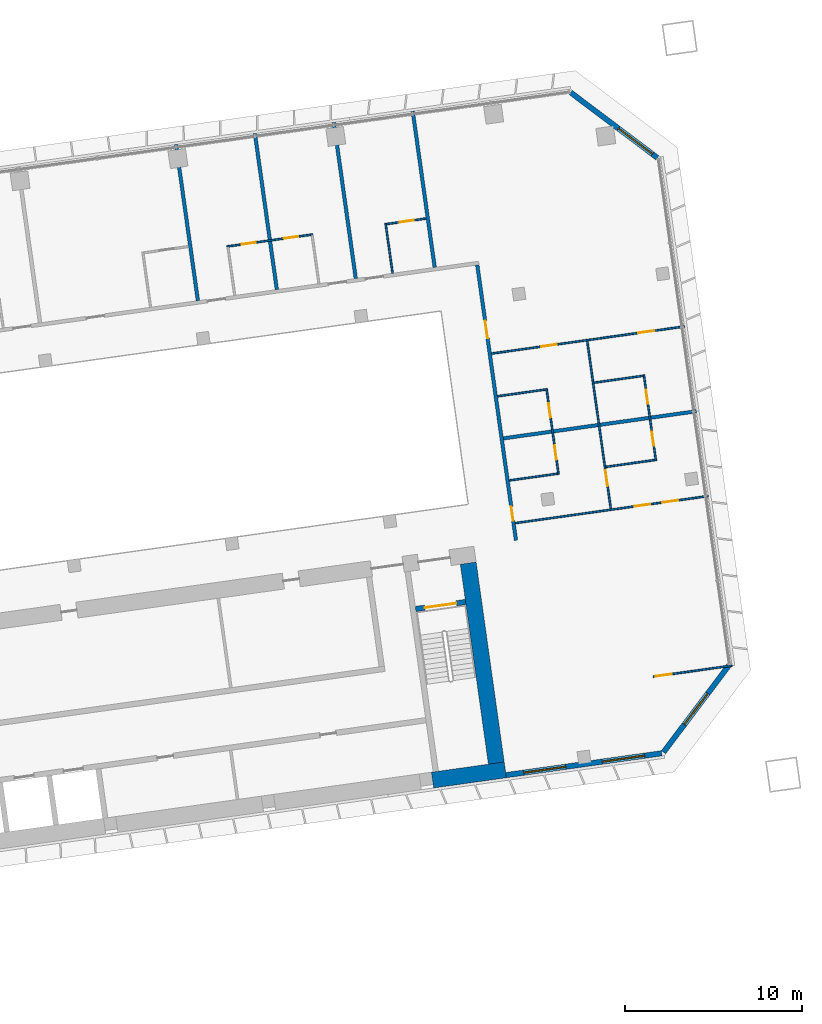
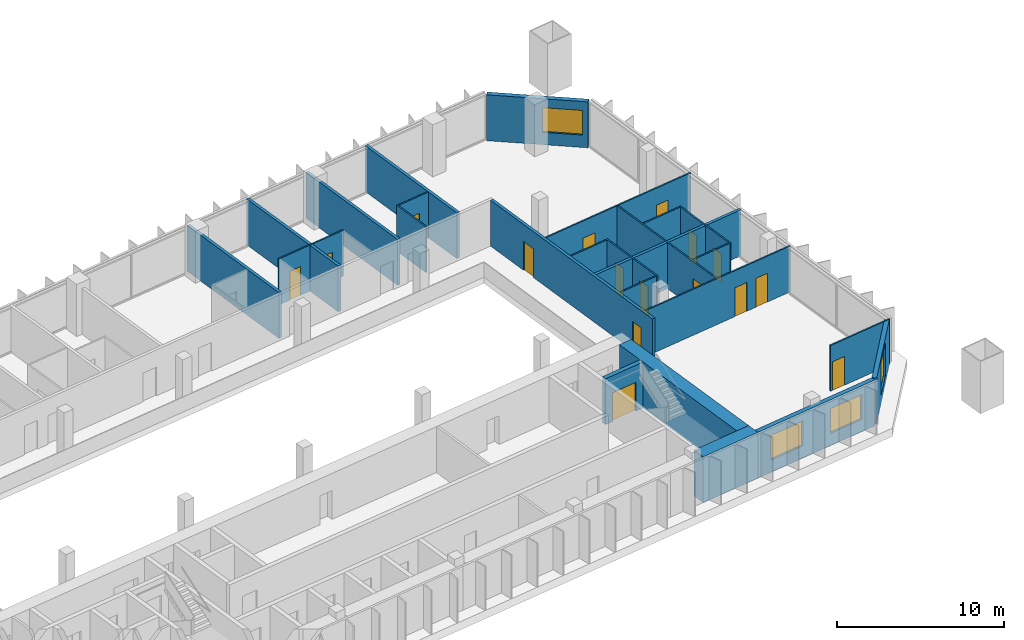
# One storey, part 21 of 24: 25 walls, 16 doors, 4 windows, 20 openings.
"""IFC4 building model written with IfcOpenShell, lengths in metres."""

from ifc_helpers import new_model, si_unit, direction, frame, frame_2d, origin, place, context, subcontext, project, spatial, rectangle, extrude, material, layer, layer_set, type_object, element, fill, save


model = new_model("IFC4")

# Units and contexts
model_context = context("Model", 3, precision=1e-05, world=origin(), true_north=direction((0.0, 1.0)))
body_context = subcontext(model_context, "Body", "Model", "MODEL_VIEW")
ifc_project = project(units=[si_unit("LENGTHUNIT", "METRE"), si_unit("AREAUNIT", "SQUARE_METRE"), si_unit("VOLUMEUNIT", "CUBIC_METRE"), si_unit("PLANEANGLEUNIT", "RADIAN"), si_unit("MASSUNIT", "GRAM", prefix="KILO")], contexts=[model_context])

# Site, building, storey
site_placement = place(None, origin())
site = spatial("IfcSite", under=ifc_project, at=site_placement, CompositionType="ELEMENT")
building_placement = place(site_placement, origin())
building = spatial("IfcBuilding", under=site, at=building_placement, Name="Mirante Cascada Hotel Towers", CompositionType="ELEMENT")
storey_placement = place(building_placement, frame((0.0, 0.0, 43.3)))
storey = spatial("IfcBuildingStorey", under=building, at=storey_placement, Name="L07", CompositionType="ELEMENT", Elevation=43.3)

# Walls
ifc_material_1 = material(Name="Fire-rated plasterboard on metal studs")
ifc_layer_1 = layer(ifc_material_1, 0.2)
ifc_layer_set_1 = layer_set([ifc_layer_1], Name="Compartment wall 200 EI 120")
wall_type_1 = type_object("IfcWallType", Name="Compartment wall 200 EI 120", PredefinedType="PARTITIONING", material=ifc_layer_set_1)
wall_1_placement = place(storey_placement, frame((101.2993, 8.0205, 0.0), z_axis=(0.0, 0.0, 1.0), x_axis=(-0.990268, -0.1391733, 0.0)))
element("IfcWall", 1, at=wall_1_placement, inside=storey, type_object=wall_type_1, Name="Wall 2-L07-09", PredefinedType="PARTITIONING", context=body_context, shape_type="SweptSolid", body=[
    extrude(rectangle(XDim=11.0, YDim=0.2, at=frame_2d((5.5, 0.0))), origin(), (0.0, 0.0, 1.0), 3.35),
])
for number, where, z_axis, x_axis, name in (
    (2, (71.9178, 23.0779, 0.0), (0.0, 0.0, 1.0), (0.1391684, -0.9902687, 0.0), "Wall 2-L07-47"),
    (3, (76.374, 23.7042, 0.0), (0.0, 0.0, 1.0), (0.1391684, -0.9902687, 0.0), "Wall 2-L07-49"),
):
    element("IfcWall", number, at=place(storey_placement, frame(where, z_axis=z_axis, x_axis=x_axis)), inside=storey, type_object=wall_type_1, Name=name, PredefinedType="PARTITIONING", context=body_context, shape_type="SweptSolid", body=[
        extrude(rectangle(XDim=8.9, YDim=0.2, at=frame_2d((4.45, 0.0))), origin(), (0.0, 0.0, 1.0), 3.35),
    ])
wall_2_placement = place(storey_placement, frame((80.8302, 24.3304, 0.0), z_axis=(0.0, 0.0, 1.0), x_axis=(0.13917, -0.9902685, 0.0)))
element("IfcWall", 4, at=wall_2_placement, inside=storey, type_object=wall_type_1, Name="Wall 2-L07-51", PredefinedType="PARTITIONING", context=body_context, shape_type="SweptSolid", body=[
    extrude(rectangle(XDim=8.8999, YDim=0.2, at=frame_2d((4.45, 0.0))), origin(), (0.0, 0.0, 1.0), 3.35),
])
wall_3_placement = place(storey_placement, frame((85.2864, 24.9567, 0.0), z_axis=(0.0, 0.0, 1.0), x_axis=(0.1391684, -0.9902687, 0.0)))
element("IfcWall", 5, at=wall_3_placement, inside=storey, type_object=wall_type_1, Name="Wall 2-L07-53", PredefinedType="PARTITIONING", context=body_context, shape_type="SweptSolid", body=[
    extrude(rectangle(XDim=8.9, YDim=0.2, at=frame_2d((4.45, 0.0))), origin(), (0.0, 0.0, 1.0), 3.35),
])

# Wall, openings, doors
wall_4_placement = place(storey_placement, frame((91.1145, 0.7321, 0.0), z_axis=(0.0, 0.0, 1.0), x_axis=(-0.1391721, 0.9902682, 0.0)))
wall_4 = element("IfcWall", 6, at=wall_4_placement, inside=storey, type_object=wall_type_1, Name="Wall 2-L07-54", PredefinedType="PARTITIONING", context=body_context, shape_type="SweptSolid", body=[
    extrude(rectangle(XDim=15.7, YDim=0.2, at=frame_2d((7.85, 0.0))), origin(), (0.0, 0.0, 1.0), 3.35),
])
opening_1_placement = place(wall_4_placement, frame((1.1167, 0.0, 0.0)))
opening_1 = element("IfcOpeningElement", 7, at=opening_1_placement, cuts=wall_4, Name="Opening D2-L07-35", PredefinedType="OPENING", context=body_context, shape_type="SweptSolid", body=[
    extrude(rectangle(XDim=0.8, YDim=2.1, at=frame_2d((0.4, 1.05))), frame((0.0, 0.1, 0.0), z_axis=(0.0, -1.0, 0.0), x_axis=(1.0, 0.0, 0.0)), (0.0, 0.0, 1.0), 0.2),
])
opening_2_placement = place(wall_4_placement, frame((11.5166, 0.0, 0.0)))
opening_2 = element("IfcOpeningElement", 8, at=opening_2_placement, cuts=wall_4, Name="Opening D2-L07-36", PredefinedType="OPENING", context=body_context, shape_type="SweptSolid", body=[
    extrude(rectangle(XDim=1.0, YDim=2.1, at=frame_2d((0.5, 1.05))), frame((0.0, 0.1, 0.0), z_axis=(0.0, -1.0, 0.0), x_axis=(1.0, 0.0, 0.0)), (0.0, 0.0, 1.0), 0.2),
])
ifc_material_2 = material(Name="Fire-rated timber door leaf", Category="wood")
door_type_1 = type_object("IfcDoorType", Name="Bathroom door DG4 800x2100 EI 60", OperationType="SINGLE_SWING_LEFT", PredefinedType="DOOR", material=ifc_material_2)
door_1_placement = place(opening_1_placement, origin())
door_1 = element("IfcDoor", 9, at=door_1_placement, inside=storey, type_object=door_type_1, Name="Door D2-L07-35", OperationType="SINGLE_SWING_LEFT", OverallHeight=2.1, OverallWidth=0.8, PredefinedType="DOOR", context=body_context, shape_type="SweptSolid", body=[
    extrude(rectangle(XDim=0.8, YDim=2.1, at=frame_2d((0.4, 1.05))), frame((0.0, 0.025, 0.0), z_axis=(0.0, -1.0, 0.0), x_axis=(1.0, 0.0, 0.0)), (0.0, 0.0, 1.0), 0.05),
])
fill(opening_1, door_1)
ifc_material_3 = material(Name="Fire-rated timber door leaf", Category="wood")
door_type_2 = type_object("IfcDoorType", Name="Entrance door DG1 1000x2100 EI 60", OperationType="SINGLE_SWING_LEFT", PredefinedType="DOOR", material=ifc_material_3)
door_2_placement = place(opening_2_placement, frame((1.0, 0.0, 0.0), z_axis=(0.0, 0.0, 1.0), x_axis=(-1.0, 0.0, 0.0)))
door_2 = element("IfcDoor", 10, at=door_2_placement, inside=storey, type_object=door_type_2, Name="Door D2-L07-36", OperationType="SINGLE_SWING_RIGHT", OverallHeight=2.1, OverallWidth=1.0, PredefinedType="DOOR", context=body_context, shape_type="SweptSolid", body=[
    extrude(rectangle(XDim=1.0, YDim=2.1, at=frame_2d((0.5, 1.05))), frame((0.0, 0.025, 0.0), z_axis=(0.0, -1.0, 0.0), x_axis=(1.0, 0.0, 0.0)), (0.0, 0.0, 1.0), 0.05),
])
fill(opening_2, door_2)

# Wall, opening, door
ifc_material_4 = material(Name="Plasterboard on metal studs")
ifc_layer_2 = layer(ifc_material_4, 0.1)
ifc_layer_set_2 = layer_set([ifc_layer_2], Name="Partition 100")
wall_type_2 = type_object("IfcWallType", Name="Partition 100", PredefinedType="PARTITIONING", material=ifc_layer_set_2)
wall_5_placement = place(storey_placement, frame((103.3173, -6.3384, 0.0), z_axis=(0.0, 0.0, 1.0), x_axis=(-0.9902674, -0.1391779, 0.0)))
wall_5 = element("IfcWall", 11, at=wall_5_placement, inside=storey, type_object=wall_type_2, Name="Wall 2-L07-01", PredefinedType="PARTITIONING", context=body_context, shape_type="SweptSolid", body=[
    extrude(rectangle(XDim=4.5, YDim=0.1, at=frame_2d((2.25, 0.0))), origin(), (0.0, 0.0, 1.0), 3.35),
])
opening_3_placement = place(wall_5_placement, frame((3.45, 0.0, 0.0)))
opening_3 = element("IfcOpeningElement", 12, at=opening_3_placement, cuts=wall_5, Name="Opening D2-L07-01", PredefinedType="OPENING", context=body_context, shape_type="SweptSolid", body=[
    extrude(rectangle(XDim=0.9, YDim=2.1, at=frame_2d((0.45, 1.05))), frame((0.0, 0.05, 0.0), z_axis=(0.0, -1.0, 0.0), x_axis=(1.0, 0.0, 0.0)), (0.0, 0.0, 1.0), 0.1),
])
ifc_material_5 = material(Name="Timber door leaf", Category="wood")
door_type_3 = type_object("IfcDoorType", Name="Room door DG3 900x2100", OperationType="SINGLE_SWING_LEFT", PredefinedType="DOOR", material=ifc_material_5)
door_3_placement = place(opening_3_placement, frame((0.9, 0.0, 0.0), z_axis=(0.0, 0.0, 1.0), x_axis=(-1.0, 0.0, 0.0)))
door_3 = element("IfcDoor", 13, at=door_3_placement, inside=storey, type_object=door_type_3, Name="Door D2-L07-01", OperationType="SINGLE_SWING_RIGHT", OverallHeight=2.1, OverallWidth=0.9, PredefinedType="DOOR", context=body_context, shape_type="SweptSolid", body=[
    extrude(rectangle(XDim=0.9, YDim=2.1, at=frame_2d((0.45, 1.05))), frame((0.0, 0.025, 0.0), z_axis=(0.0, -1.0, 0.0), x_axis=(1.0, 0.0, 0.0)), (0.0, 0.0, 1.0), 0.05),
])
fill(opening_3, door_3)

# Wall, openings, doors
wall_6_placement = place(storey_placement, frame((101.972, 3.2342, 0.0), z_axis=(0.0, 0.0, 1.0), x_axis=(-0.9902682, -0.1391721, 0.0)))
wall_6 = element("IfcWall", 14, at=wall_6_placement, inside=storey, type_object=wall_type_2, Name="Wall 2-L07-05", PredefinedType="PARTITIONING", context=body_context, shape_type="SweptSolid", body=[
    extrude(rectangle(XDim=11.0001, YDim=0.1, at=frame_2d((5.5, 0.0))), origin(), (0.0, 0.0, 1.0), 3.35),
])
opening_4_placement = place(wall_6_placement, frame((3.3, 0.0, 0.0)))
opening_4 = element("IfcOpeningElement", 15, at=opening_4_placement, cuts=wall_6, Name="Opening D2-L07-03", PredefinedType="OPENING", context=body_context, shape_type="SweptSolid", body=[
    extrude(rectangle(XDim=0.9, YDim=2.1, at=frame_2d((0.45, 1.05))), frame((0.0, 0.05, 0.0), z_axis=(0.0, -1.0, 0.0), x_axis=(1.0, 0.0, 0.0)), (0.0, 0.0, 1.0), 0.1),
])
opening_5_placement = place(wall_6_placement, frame((1.725, 0.0, 0.0)))
opening_5 = element("IfcOpeningElement", 16, at=opening_5_placement, cuts=wall_6, Name="Opening D2-L07-04", PredefinedType="OPENING", context=body_context, shape_type="SweptSolid", body=[
    extrude(rectangle(XDim=0.9, YDim=2.1, at=frame_2d((0.45, 1.05))), frame((0.0, 0.05, 0.0), z_axis=(0.0, -1.0, 0.0), x_axis=(1.0, 0.0, 0.0)), (0.0, 0.0, 1.0), 0.1),
])
door_4_placement = place(opening_4_placement, origin())
door_4 = element("IfcDoor", 17, at=door_4_placement, inside=storey, type_object=door_type_3, Name="Door D2-L07-03", OperationType="SINGLE_SWING_LEFT", OverallHeight=2.1, OverallWidth=0.9, PredefinedType="DOOR", context=body_context, shape_type="SweptSolid", body=[
    extrude(rectangle(XDim=0.9, YDim=2.1, at=frame_2d((0.45, 1.05))), frame((0.0, 0.025, 0.0), z_axis=(0.0, -1.0, 0.0), x_axis=(1.0, 0.0, 0.0)), (0.0, 0.0, 1.0), 0.05),
])
fill(opening_4, door_4)
door_5_placement = place(opening_5_placement, origin())
door_5 = element("IfcDoor", 18, at=door_5_placement, inside=storey, type_object=door_type_3, Name="Door D2-L07-04", OperationType="SINGLE_SWING_LEFT", OverallHeight=2.1, OverallWidth=0.9, PredefinedType="DOOR", context=body_context, shape_type="SweptSolid", body=[
    extrude(rectangle(XDim=0.9, YDim=2.1, at=frame_2d((0.45, 1.05))), frame((0.0, 0.025, 0.0), z_axis=(0.0, -1.0, 0.0), x_axis=(1.0, 0.0, 0.0)), (0.0, 0.0, 1.0), 0.05),
])
fill(opening_5, door_5)

# Walls
wall_7_placement = place(storey_placement, frame((90.7404, 4.1129, 0.0), z_axis=(0.0, 0.0, 1.0), x_axis=(0.9902691, 0.1391657, 0.0)))
element("IfcWall", 19, at=wall_7_placement, inside=storey, type_object=wall_type_2, Name="Wall 2-L07-06", PredefinedType="PARTITIONING", context=body_context, shape_type="SweptSolid", body=[
    extrude(rectangle(XDim=2.75, YDim=0.1, at=frame_2d((1.375, 0.0))), origin(), (0.0, 0.0, 1.0), 3.35),
])
wall_8_placement = place(storey_placement, frame((98.9596, 5.2681, 0.0), z_axis=(0.0, 0.0, 1.0), x_axis=(-0.9902677, -0.139176, 0.0)))
element("IfcWall", 20, at=wall_8_placement, inside=storey, type_object=wall_type_2, Name="Wall 2-L07-07", PredefinedType="PARTITIONING", context=body_context, shape_type="SweptSolid", body=[
    extrude(rectangle(XDim=2.8001, YDim=0.1, at=frame_2d((1.4, 0.0))), origin(), (0.0, 0.0, 1.0), 3.35),
])
wall_9_placement = place(storey_placement, frame((92.7956, 9.2489, 0.0), z_axis=(0.0, 0.0, 1.0), x_axis=(-0.9902698, -0.1391607, 0.0)))
element("IfcWall", 21, at=wall_9_placement, inside=storey, type_object=wall_type_2, Name="Wall 2-L07-11", PredefinedType="PARTITIONING", context=body_context, shape_type="SweptSolid", body=[
    extrude(rectangle(XDim=2.7501, YDim=0.1, at=frame_2d((1.3751, 0.0))), origin(), (0.0, 0.0, 1.0), 3.35),
])
wall_10_placement = place(storey_placement, frame((95.5188, 9.6317, 0.0), z_axis=(0.0, 0.0, 1.0), x_axis=(0.9902726, 0.139141, 0.0)))
element("IfcWall", 22, at=wall_10_placement, inside=storey, type_object=wall_type_2, Name="Wall 2-L07-12", PredefinedType="PARTITIONING", context=body_context, shape_type="SweptSolid", body=[
    extrude(rectangle(XDim=2.8, YDim=0.1, at=frame_2d((1.4, 0.0))), origin(), (0.0, 0.0, 1.0), 3.35),
])

# Wall, openings, doors
wall_11_placement = place(storey_placement, frame((89.7337, 11.2758, 0.0), z_axis=(0.0, 0.0, 1.0), x_axis=(0.990268, 0.1391733, 0.0)))
wall_11 = element("IfcWall", 23, at=wall_11_placement, inside=storey, type_object=wall_type_2, Name="Wall 2-L07-14", PredefinedType="PARTITIONING", context=body_context, shape_type="SweptSolid", body=[
    extrude(rectangle(XDim=11.0, YDim=0.1, at=frame_2d((5.5, 0.0))), origin(), (0.0, 0.0, 1.0), 3.35),
])
opening_6_placement = place(wall_11_placement, frame((2.825, 0.0, 0.0)))
opening_6 = element("IfcOpeningElement", 24, at=opening_6_placement, cuts=wall_11, Name="Opening D2-L07-05", PredefinedType="OPENING", context=body_context, shape_type="SweptSolid", body=[
    extrude(rectangle(XDim=0.9, YDim=2.1, at=frame_2d((0.45, 1.05))), frame((0.0, 0.05, 0.0), z_axis=(0.0, -1.0, 0.0), x_axis=(1.0, 0.0, 0.0)), (0.0, 0.0, 1.0), 0.1),
])
opening_7_placement = place(wall_11_placement, frame((8.375, 0.0, 0.0)))
opening_7 = element("IfcOpeningElement", 25, at=opening_7_placement, cuts=wall_11, Name="Opening D2-L07-06", PredefinedType="OPENING", context=body_context, shape_type="SweptSolid", body=[
    extrude(rectangle(XDim=0.9, YDim=2.1, at=frame_2d((0.45, 1.05))), frame((0.0, 0.05, 0.0), z_axis=(0.0, -1.0, 0.0), x_axis=(1.0, 0.0, 0.0)), (0.0, 0.0, 1.0), 0.1),
])
door_6_placement = place(opening_6_placement, origin())
door_6 = element("IfcDoor", 26, at=door_6_placement, inside=storey, type_object=door_type_3, Name="Door D2-L07-05", OperationType="SINGLE_SWING_LEFT", OverallHeight=2.1, OverallWidth=0.9, PredefinedType="DOOR", context=body_context, shape_type="SweptSolid", body=[
    extrude(rectangle(XDim=0.9, YDim=2.1, at=frame_2d((0.45, 1.05))), frame((0.0, 0.025, 0.0), z_axis=(0.0, -1.0, 0.0), x_axis=(1.0, 0.0, 0.0)), (0.0, 0.0, 1.0), 0.05),
])
fill(opening_6, door_6)
door_7_placement = place(opening_7_placement, origin())
door_7 = element("IfcDoor", 27, at=door_7_placement, inside=storey, type_object=door_type_3, Name="Door D2-L07-06", OperationType="SINGLE_SWING_LEFT", OverallHeight=2.1, OverallWidth=0.9, PredefinedType="DOOR", context=body_context, shape_type="SweptSolid", body=[
    extrude(rectangle(XDim=0.9, YDim=2.1, at=frame_2d((0.45, 1.05))), frame((0.0, 0.025, 0.0), z_axis=(0.0, -1.0, 0.0), x_axis=(1.0, 0.0, 0.0)), (0.0, 0.0, 1.0), 0.05),
])
fill(opening_7, door_7)

wall_12_placement = place(storey_placement, frame((74.7968, 17.3226, 0.0), z_axis=(0.0, 0.0, 1.0), x_axis=(0.9902694, 0.1391638, 0.0)))
wall_12 = element("IfcWall", 28, at=wall_12_placement, inside=storey, type_object=wall_type_2, Name="Wall 2-L07-22", PredefinedType="PARTITIONING", context=body_context, shape_type="SweptSolid", body=[
    extrude(rectangle(XDim=4.9, YDim=0.1, at=frame_2d((2.45, 0.0))), origin(), (0.0, 0.0, 1.0), 3.35),
])
opening_8_placement = place(wall_12_placement, frame((0.85, 0.0, 0.0)))
opening_8 = element("IfcOpeningElement", 29, at=opening_8_placement, cuts=wall_12, Name="Opening D2-L07-23", PredefinedType="OPENING", context=body_context, shape_type="SweptSolid", body=[
    extrude(rectangle(XDim=0.8, YDim=2.1, at=frame_2d((0.4, 1.05))), frame((0.0, 0.05, 0.0), z_axis=(0.0, -1.0, 0.0), x_axis=(1.0, 0.0, 0.0)), (0.0, 0.0, 1.0), 0.1),
])
opening_9_placement = place(wall_12_placement, frame((3.25, 0.0, 0.0)))
opening_9 = element("IfcOpeningElement", 30, at=opening_9_placement, cuts=wall_12, Name="Opening D2-L07-24", PredefinedType="OPENING", context=body_context, shape_type="SweptSolid", body=[
    extrude(rectangle(XDim=0.8, YDim=2.1, at=frame_2d((0.4, 1.05))), frame((0.0, 0.05, 0.0), z_axis=(0.0, -1.0, 0.0), x_axis=(1.0, 0.0, 0.0)), (0.0, 0.0, 1.0), 0.1),
])
ifc_material_6 = material(Name="Timber door leaf", Category="wood")
door_type_4 = type_object("IfcDoorType", Name="Bathroom door DG4 800x2100", OperationType="SINGLE_SWING_LEFT", PredefinedType="DOOR", material=ifc_material_6)
door_8_placement = place(opening_8_placement, origin())
door_8 = element("IfcDoor", 31, at=door_8_placement, inside=storey, type_object=door_type_4, Name="Door D2-L07-23", OperationType="SINGLE_SWING_LEFT", OverallHeight=2.1, OverallWidth=0.8, PredefinedType="DOOR", context=body_context, shape_type="SweptSolid", body=[
    extrude(rectangle(XDim=0.8, YDim=2.1, at=frame_2d((0.4, 1.05))), frame((0.0, 0.025, 0.0), z_axis=(0.0, -1.0, 0.0), x_axis=(1.0, 0.0, 0.0)), (0.0, 0.0, 1.0), 0.05),
])
fill(opening_8, door_8)
door_9_placement = place(opening_9_placement, origin())
door_9 = element("IfcDoor", 32, at=door_9_placement, inside=storey, type_object=door_type_4, Name="Door D2-L07-24", OperationType="SINGLE_SWING_LEFT", OverallHeight=2.1, OverallWidth=0.8, PredefinedType="DOOR", context=body_context, shape_type="SweptSolid", body=[
    extrude(rectangle(XDim=0.8, YDim=2.1, at=frame_2d((0.4, 1.05))), frame((0.0, 0.025, 0.0), z_axis=(0.0, -1.0, 0.0), x_axis=(1.0, 0.0, 0.0)), (0.0, 0.0, 1.0), 0.05),
])
fill(opening_9, door_9)

# Wall, opening, door
wall_13_placement = place(storey_placement, frame((86.0363, 18.9022, 0.0), z_axis=(0.0, 0.0, 1.0), x_axis=(-0.9902643, -0.1391997, 0.0)))
wall_13 = element("IfcWall", 33, at=wall_13_placement, inside=storey, type_object=wall_type_2, Name="Wall 2-L07-23", PredefinedType="PARTITIONING", context=body_context, shape_type="SweptSolid", body=[
    extrude(rectangle(XDim=2.25, YDim=0.1, at=frame_2d((1.125, 0.0))), origin(), (0.0, 0.0, 1.0), 3.35),
])
opening_10_placement = place(wall_13_placement, frame((0.7, 0.0, 0.0)))
opening_10 = element("IfcOpeningElement", 34, at=opening_10_placement, cuts=wall_13, Name="Opening D2-L07-25", PredefinedType="OPENING", context=body_context, shape_type="SweptSolid", body=[
    extrude(rectangle(XDim=0.8, YDim=2.1, at=frame_2d((0.4, 1.05))), frame((0.0, 0.05, 0.0), z_axis=(0.0, -1.0, 0.0), x_axis=(1.0, 0.0, 0.0)), (0.0, 0.0, 1.0), 0.1),
])
door_10_placement = place(opening_10_placement, frame((0.8, 0.0, 0.0), z_axis=(0.0, 0.0, 1.0), x_axis=(-1.0, 0.0, 0.0)))
door_10 = element("IfcDoor", 35, at=door_10_placement, inside=storey, type_object=door_type_4, Name="Door D2-L07-25", OperationType="SINGLE_SWING_RIGHT", OverallHeight=2.1, OverallWidth=0.8, PredefinedType="DOOR", context=body_context, shape_type="SweptSolid", body=[
    extrude(rectangle(XDim=0.8, YDim=2.1, at=frame_2d((0.4, 1.05))), frame((0.0, 0.025, 0.0), z_axis=(0.0, -1.0, 0.0), x_axis=(1.0, 0.0, 0.0)), (0.0, 0.0, 1.0), 0.05),
])
fill(opening_10, door_10)

# Wall
wall_14_placement = place(storey_placement, frame((84.1484, 15.8093, 0.0), z_axis=(0.0, 0.0, 1.0), x_axis=(-0.1391909, 0.9902656, 0.0)))
element("IfcWall", 36, at=wall_14_placement, inside=storey, type_object=wall_type_2, Name="Wall 2-L07-52", PredefinedType="PARTITIONING", context=body_context, shape_type="SweptSolid", body=[
    extrude(rectangle(XDim=2.85, YDim=0.1, at=frame_2d((1.425, 0.0))), origin(), (0.0, 0.0, 1.0), 3.35),
])

# Wall, openings, doors
wall_15_placement = place(storey_placement, frame((92.8381, 9.3054, 0.0), z_axis=(0.0, 0.0, 1.0), x_axis=(0.1391838, -0.9902666, 0.0)))
wall_15 = element("IfcWall", 37, at=wall_15_placement, inside=storey, type_object=wall_type_2, Name="Wall 2-L07-55", PredefinedType="PARTITIONING", context=body_context, shape_type="SweptSolid", body=[
    extrude(rectangle(XDim=4.9, YDim=0.1, at=frame_2d((2.45, 0.0))), origin(), (0.0, 0.0, 1.0), 3.35),
])
opening_11_placement = place(wall_15_placement, frame((3.25, 0.0, 0.0)))
opening_11 = element("IfcOpeningElement", 38, at=opening_11_placement, cuts=wall_15, Name="Opening D2-L07-37", PredefinedType="OPENING", context=body_context, shape_type="SweptSolid", body=[
    extrude(rectangle(XDim=0.8, YDim=2.1, at=frame_2d((0.4, 1.05))), frame((0.0, 0.05, 0.0), z_axis=(0.0, -1.0, 0.0), x_axis=(1.0, 0.0, 0.0)), (0.0, 0.0, 1.0), 0.1),
])
opening_12_placement = place(wall_15_placement, frame((0.85, 0.0, 0.0)))
opening_12 = element("IfcOpeningElement", 39, at=opening_12_placement, cuts=wall_15, Name="Opening D2-L07-38", PredefinedType="OPENING", context=body_context, shape_type="SweptSolid", body=[
    extrude(rectangle(XDim=0.8, YDim=2.1, at=frame_2d((0.4, 1.05))), frame((0.0, 0.05, 0.0), z_axis=(0.0, -1.0, 0.0), x_axis=(1.0, 0.0, 0.0)), (0.0, 0.0, 1.0), 0.1),
])
door_11_placement = place(opening_11_placement, frame((0.8, 0.0, 0.0), z_axis=(0.0, 0.0, 1.0), x_axis=(-1.0, 0.0, 0.0)))
door_11 = element("IfcDoor", 40, at=door_11_placement, inside=storey, type_object=door_type_4, Name="Door D2-L07-37", OperationType="SINGLE_SWING_RIGHT", OverallHeight=2.1, OverallWidth=0.8, PredefinedType="DOOR", context=body_context, shape_type="SweptSolid", body=[
    extrude(rectangle(XDim=0.8, YDim=2.1, at=frame_2d((0.4, 1.05))), frame((0.0, 0.025, 0.0), z_axis=(0.0, -1.0, 0.0), x_axis=(1.0, 0.0, 0.0)), (0.0, 0.0, 1.0), 0.05),
])
fill(opening_11, door_11)
door_12_placement = place(opening_12_placement, frame((0.8, 0.0, 0.0), z_axis=(0.0, 0.0, 1.0), x_axis=(-1.0, 0.0, 0.0)))
door_12 = element("IfcDoor", 41, at=door_12_placement, inside=storey, type_object=door_type_4, Name="Door D2-L07-38", OperationType="SINGLE_SWING_RIGHT", OverallHeight=2.1, OverallWidth=0.8, PredefinedType="DOOR", context=body_context, shape_type="SweptSolid", body=[
    extrude(rectangle(XDim=0.8, YDim=2.1, at=frame_2d((0.4, 1.05))), frame((0.0, 0.025, 0.0), z_axis=(0.0, -1.0, 0.0), x_axis=(1.0, 0.0, 0.0)), (0.0, 0.0, 1.0), 0.05),
])
fill(opening_12, door_12)

# Wall, opening, door
wall_16_placement = place(storey_placement, frame((96.469, 2.5113, 0.0), z_axis=(0.0, 0.0, 1.0), x_axis=(-0.1391717, 0.9902683, 0.0)))
wall_16 = element("IfcWall", 42, at=wall_16_placement, inside=storey, type_object=wall_type_2, Name="Wall 2-L07-56", PredefinedType="PARTITIONING", context=body_context, shape_type="SweptSolid", body=[
    extrude(rectangle(XDim=9.5666, YDim=0.1, at=frame_2d((4.7833, 0.0))), origin(), (0.0, 0.0, 1.0), 3.35),
])
opening_13_placement = place(wall_16_placement, frame((1.3, 0.0, 0.0)))
opening_13 = element("IfcOpeningElement", 43, at=opening_13_placement, cuts=wall_16, Name="Opening D2-L07-39", PredefinedType="OPENING", context=body_context, shape_type="SweptSolid", body=[
    extrude(rectangle(XDim=0.9, YDim=2.1, at=frame_2d((0.45, 1.05))), frame((0.0, 0.05, 0.0), z_axis=(0.0, -1.0, 0.0), x_axis=(1.0, 0.0, 0.0)), (0.0, 0.0, 1.0), 0.1),
])
door_13_placement = place(opening_13_placement, origin())
door_13 = element("IfcDoor", 44, at=door_13_placement, inside=storey, type_object=door_type_3, Name="Door D2-L07-39", OperationType="SINGLE_SWING_LEFT", OverallHeight=2.1, OverallWidth=0.9, PredefinedType="DOOR", context=body_context, shape_type="SweptSolid", body=[
    extrude(rectangle(XDim=0.9, YDim=2.1, at=frame_2d((0.45, 1.05))), frame((0.0, 0.025, 0.0), z_axis=(0.0, -1.0, 0.0), x_axis=(1.0, 0.0, 0.0)), (0.0, 0.0, 1.0), 0.05),
])
fill(opening_13, door_13)

# Wall, openings, doors
wall_17_placement = place(storey_placement, frame((98.3341, 10.0778, 0.0), z_axis=(0.0, 0.0, 1.0), x_axis=(0.1391838, -0.9902666, 0.0)))
wall_17 = element("IfcWall", 45, at=wall_17_placement, inside=storey, type_object=wall_type_2, Name="Wall 2-L07-57", PredefinedType="PARTITIONING", context=body_context, shape_type="SweptSolid", body=[
    extrude(rectangle(XDim=4.9, YDim=0.1, at=frame_2d((2.45, 0.0))), origin(), (0.0, 0.0, 1.0), 3.35),
])
opening_14_placement = place(wall_17_placement, frame((3.25, 0.0, 0.0)))
opening_14 = element("IfcOpeningElement", 46, at=opening_14_placement, cuts=wall_17, Name="Opening D2-L07-40", PredefinedType="OPENING", context=body_context, shape_type="SweptSolid", body=[
    extrude(rectangle(XDim=0.8, YDim=2.1, at=frame_2d((0.4, 1.05))), frame((0.0, 0.05, 0.0), z_axis=(0.0, -1.0, 0.0), x_axis=(1.0, 0.0, 0.0)), (0.0, 0.0, 1.0), 0.1),
])
opening_15_placement = place(wall_17_placement, frame((0.85, 0.0, 0.0)))
opening_15 = element("IfcOpeningElement", 47, at=opening_15_placement, cuts=wall_17, Name="Opening D2-L07-41", PredefinedType="OPENING", context=body_context, shape_type="SweptSolid", body=[
    extrude(rectangle(XDim=0.8, YDim=2.1, at=frame_2d((0.4, 1.05))), frame((0.0, 0.05, 0.0), z_axis=(0.0, -1.0, 0.0), x_axis=(1.0, 0.0, 0.0)), (0.0, 0.0, 1.0), 0.1),
])
door_14_placement = place(opening_14_placement, frame((0.8, 0.0, 0.0), z_axis=(0.0, 0.0, 1.0), x_axis=(-1.0, 0.0, 0.0)))
door_14 = element("IfcDoor", 48, at=door_14_placement, inside=storey, type_object=door_type_4, Name="Door D2-L07-40", OperationType="SINGLE_SWING_RIGHT", OverallHeight=2.1, OverallWidth=0.8, PredefinedType="DOOR", context=body_context, shape_type="SweptSolid", body=[
    extrude(rectangle(XDim=0.8, YDim=2.1, at=frame_2d((0.4, 1.05))), frame((0.0, 0.025, 0.0), z_axis=(0.0, -1.0, 0.0), x_axis=(1.0, 0.0, 0.0)), (0.0, 0.0, 1.0), 0.05),
])
fill(opening_14, door_14)
door_15_placement = place(opening_15_placement, frame((0.8, 0.0, 0.0), z_axis=(0.0, 0.0, 1.0), x_axis=(-1.0, 0.0, 0.0)))
door_15 = element("IfcDoor", 49, at=door_15_placement, inside=storey, type_object=door_type_4, Name="Door D2-L07-41", OperationType="SINGLE_SWING_RIGHT", OverallHeight=2.1, OverallWidth=0.8, PredefinedType="DOOR", context=body_context, shape_type="SweptSolid", body=[
    extrude(rectangle(XDim=0.8, YDim=2.1, at=frame_2d((0.4, 1.05))), frame((0.0, 0.025, 0.0), z_axis=(0.0, -1.0, 0.0), x_axis=(1.0, 0.0, 0.0)), (0.0, 0.0, 1.0), 0.05),
])
fill(opening_15, door_15)

# Wall, openings, windows
ifc_material_7 = material(Name="Precast concrete C40/50", Category="concrete")
ifc_layer_3 = layer(ifc_material_7, 0.3)
ifc_layer_set_3 = layer_set([ifc_layer_3], Name="Precast concrete C40/50 cladding wall 300")
wall_type_3 = type_object("IfcWallType", Name="Precast concrete C40/50 cladding wall 300", PredefinedType="STANDARD", material=ifc_layer_set_3)
wall_18_placement = place(storey_placement, frame((90.5541, -12.5249, 0.0), z_axis=(0.0, 0.0, 1.0), x_axis=(0.9902678, 0.1391749, 0.0)))
wall_18 = element("IfcWall", 50, at=wall_18_placement, inside=storey, type_object=wall_type_3, Name="Rear cladding wall T2 L07 1", PredefinedType="STANDARD", context=body_context, shape_type="SweptSolid", body=[
    extrude(rectangle(XDim=8.8759, YDim=0.3, at=frame_2d((4.438, 0.0))), origin(), (0.0, 0.0, 1.0), 3.35),
])
opening_16_placement = place(wall_18_placement, frame((1.0012, 0.0, 0.9)))
opening_16 = element("IfcOpeningElement", 51, at=opening_16_placement, cuts=wall_18, Name="Opening W2-07-01", PredefinedType="OPENING", context=body_context, shape_type="SweptSolid", body=[
    extrude(rectangle(XDim=2.4, YDim=1.8, at=frame_2d((1.2, 0.9))), frame((0.0, 0.15, 0.0), z_axis=(0.0, -1.0, 0.0), x_axis=(1.0, 0.0, 0.0)), (0.0, 0.0, 1.0), 0.3),
])
opening_17_placement = place(wall_18_placement, frame((5.4923, 0.0, 0.9)))
opening_17 = element("IfcOpeningElement", 52, at=opening_17_placement, cuts=wall_18, Name="Opening W2-07-02", PredefinedType="OPENING", context=body_context, shape_type="SweptSolid", body=[
    extrude(rectangle(XDim=2.4, YDim=1.8, at=frame_2d((1.2, 0.9))), frame((0.0, 0.15, 0.0), z_axis=(0.0, -1.0, 0.0), x_axis=(1.0, 0.0, 0.0)), (0.0, 0.0, 1.0), 0.3),
])
ifc_material_8 = material(Name="Aluminium frame with clear double glazing", Category="aluminium")
window_type_1 = type_object("IfcWindowType", Name="Punched window 2400x1800", PartitioningType="DOUBLE_PANEL_VERTICAL", PredefinedType="WINDOW", material=ifc_material_8)
window_1_placement = place(opening_16_placement, origin())
window_1 = element("IfcWindow", 53, at=window_1_placement, inside=storey, type_object=window_type_1, Name="Window W2-07-01", OverallHeight=1.8, OverallWidth=2.4, PartitioningType="SINGLE_PANEL", PredefinedType="WINDOW", context=body_context, shape_type="SweptSolid", body=[
    extrude(rectangle(XDim=2.4, YDim=1.8, at=frame_2d((1.2, 0.9))), frame((0.0, 0.03, 0.0), z_axis=(0.0, -1.0, 0.0), x_axis=(1.0, 0.0, 0.0)), (0.0, 0.0, 1.0), 0.06),
])
fill(opening_16, window_1)
window_2_placement = place(opening_17_placement, origin())
window_2 = element("IfcWindow", 54, at=window_2_placement, inside=storey, type_object=window_type_1, Name="Window W2-07-02", OverallHeight=1.8, OverallWidth=2.4, PartitioningType="SINGLE_PANEL", PredefinedType="WINDOW", context=body_context, shape_type="SweptSolid", body=[
    extrude(rectangle(XDim=2.4, YDim=1.8, at=frame_2d((1.2, 0.9))), frame((0.0, 0.03, 0.0), z_axis=(0.0, -1.0, 0.0), x_axis=(1.0, 0.0, 0.0)), (0.0, 0.0, 1.0), 0.06),
])
fill(opening_17, window_2)

# Wall, opening, window
wall_19_placement = place(storey_placement, frame((99.4423, -11.2315, 0.0), z_axis=(0.0, 0.0, 1.0), x_axis=(0.6018141, 0.7986362, 0.0)))
wall_19 = element("IfcWall", 55, at=wall_19_placement, inside=storey, type_object=wall_type_3, Name="Corner cladding wall T2 L07 rear outer", PredefinedType="STANDARD", context=body_context, shape_type="SweptSolid", body=[
    extrude(rectangle(XDim=6.1157, YDim=0.3, at=frame_2d((3.0578, 0.0))), origin(), (0.0, 0.0, 1.0), 3.35),
])
opening_18_placement = place(wall_19_placement, frame((1.9578, 0.0, 0.6)))
opening_18 = element("IfcOpeningElement", 56, at=opening_18_placement, cuts=wall_19, Name="Opening W2-07-03", PredefinedType="OPENING", context=body_context, shape_type="SweptSolid", body=[
    extrude(rectangle(XDim=2.2, YDim=2.4, at=frame_2d((1.1, 1.2))), frame((0.0, 0.15, 0.0), z_axis=(0.0, -1.0, 0.0), x_axis=(1.0, 0.0, 0.0)), (0.0, 0.0, 1.0), 0.3),
])
ifc_material_9 = material(Name="Aluminium frame with clear double glazing", Category="aluminium")
window_type_2 = type_object("IfcWindowType", Name="Corner suite window 2200x2400", PartitioningType="DOUBLE_PANEL_VERTICAL", PredefinedType="WINDOW", material=ifc_material_9)
window_3_placement = place(opening_18_placement, origin())
window_3 = element("IfcWindow", 57, at=window_3_placement, inside=storey, type_object=window_type_2, Name="Window W2-07-03", OverallHeight=2.4, OverallWidth=2.2, PartitioningType="SINGLE_PANEL", PredefinedType="WINDOW", context=body_context, shape_type="SweptSolid", body=[
    extrude(rectangle(XDim=2.2, YDim=2.4, at=frame_2d((1.1, 1.2))), frame((0.0, 0.03, 0.0), z_axis=(0.0, -1.0, 0.0), x_axis=(1.0, 0.0, 0.0)), (0.0, 0.0, 1.0), 0.06),
])
fill(opening_18, window_3)

wall_20_placement = place(storey_placement, frame((99.0919, 22.3343, 0.0), z_axis=(0.0, 0.0, 1.0), x_axis=(-0.7986362, 0.6018141, 0.0)))
wall_20 = element("IfcWall", 58, at=wall_20_placement, inside=storey, type_object=wall_type_3, Name="Corner cladding wall T2 L07 outer front", PredefinedType="STANDARD", context=body_context, shape_type="SweptSolid", body=[
    extrude(rectangle(XDim=6.1157, YDim=0.3, at=frame_2d((3.0578, 0.0))), origin(), (0.0, 0.0, 1.0), 3.35),
])
opening_19_placement = place(wall_20_placement, frame((0.35, 0.0, 0.9)))
opening_19 = element("IfcOpeningElement", 59, at=opening_19_placement, cuts=wall_20, Name="Opening W2-07-06", PredefinedType="OPENING", context=body_context, shape_type="SweptSolid", body=[
    extrude(rectangle(XDim=2.4, YDim=1.8, at=frame_2d((1.2, 0.9))), frame((0.0, 0.15, 0.0), z_axis=(0.0, -1.0, 0.0), x_axis=(1.0, 0.0, 0.0)), (0.0, 0.0, 1.0), 0.3),
])
window_4_placement = place(opening_19_placement, origin())
window_4 = element("IfcWindow", 60, at=window_4_placement, inside=storey, type_object=window_type_1, Name="Window W2-07-06", OverallHeight=1.8, OverallWidth=2.4, PartitioningType="SINGLE_PANEL", PredefinedType="WINDOW", context=body_context, shape_type="SweptSolid", body=[
    extrude(rectangle(XDim=2.4, YDim=1.8, at=frame_2d((1.2, 0.9))), frame((0.0, 0.03, 0.0), z_axis=(0.0, -1.0, 0.0), x_axis=(1.0, 0.0, 0.0)), (0.0, 0.0, 1.0), 0.06),
])
fill(opening_19, window_4)

# Wall, opening, door
ifc_material_10 = material(Name="Concrete C50/60", Category="concrete")
ifc_layer_4 = layer(ifc_material_10, 0.3)
ifc_layer_set_4 = layer_set([ifc_layer_4], Name="RC core wall 300 C50/60")
wall_type_4 = type_object("IfcWallType", Name="RC core wall 300 C50/60", PredefinedType="SHEAR", material=ifc_layer_set_4)
wall_21_placement = place(storey_placement, frame((85.4489, -3.1441, 0.0), z_axis=(0.0, 0.0, 1.0), x_axis=(0.9902697, 0.1391613, 0.0)))
wall_21 = element("IfcWall", 61, at=wall_21_placement, inside=storey, type_object=wall_type_4, Name="Core wall T2:L07:11", PredefinedType="SHEAR", context=body_context, shape_type="SweptSolid", body=[
    extrude(rectangle(XDim=2.8499, YDim=0.3, at=frame_2d((1.425, 0.0))), origin(), (0.0, 0.0, 1.0), 3.35),
])
opening_20_placement = place(wall_21_placement, frame((0.525, 0.0, 0.0)))
opening_20 = element("IfcOpeningElement", 62, at=opening_20_placement, cuts=wall_21, Name="Opening D2-07-C17", PredefinedType="OPENING", context=body_context, shape_type="SweptSolid", body=[
    extrude(rectangle(XDim=1.8, YDim=2.1, at=frame_2d((0.9, 1.05))), frame((0.0, 0.15, 0.0), z_axis=(0.0, -1.0, 0.0), x_axis=(1.0, 0.0, 0.0)), (0.0, 0.0, 1.0), 0.3),
])
ifc_material_11 = material(Name="Hollow metal fire door leaf")
door_type_5 = type_object("IfcDoorType", Name="Double fire door 1800x2100 FD60", OperationType="DOUBLE_DOOR_SINGLE_SWING", PredefinedType="DOOR", material=ifc_material_11)
door_16_placement = place(opening_20_placement, frame((1.8, 0.0, 0.0), z_axis=(0.0, 0.0, 1.0), x_axis=(-1.0, 0.0, 0.0)))
door_16 = element("IfcDoor", 63, at=door_16_placement, inside=storey, type_object=door_type_5, Name="Stair door T2 L07 17", OperationType="DOUBLE_DOOR_SINGLE_SWING", OverallHeight=2.1, OverallWidth=1.8, PredefinedType="DOOR", context=body_context, shape_type="SweptSolid", body=[
    extrude(rectangle(XDim=0.895, YDim=2.1, at=frame_2d((0.4475, 1.05))), frame((0.0, 0.025, 0.0), z_axis=(0.0, -1.0, 0.0), x_axis=(1.0, 0.0, 0.0)), (0.0, 0.0, 1.0), 0.05),
    extrude(rectangle(XDim=0.895, YDim=2.1, at=frame_2d((1.3525, 1.05))), frame((0.0, 0.025, 0.0), z_axis=(0.0, -1.0, 0.0), x_axis=(1.0, 0.0, 0.0)), (0.0, 0.0, 1.0), 0.05),
])
fill(opening_20, door_16)

# Walls
ifc_material_12 = material(Name="Concrete C50/60", Category="concrete")
ifc_layer_5 = layer(ifc_material_12, 0.9)
ifc_layer_set_5 = layer_set([ifc_layer_5], Name="RC core wall 900 C50/60")
wall_type_5 = type_object("IfcWallType", Name="RC core wall 900 C50/60", PredefinedType="SHEAR", material=ifc_layer_set_5)
wall_22_placement = place(storey_placement, frame((86.4027, -12.8054, 0.0), z_axis=(0.0, 0.0, 1.0), x_axis=(0.990267, 0.139181, 0.0)))
element("IfcWall", 64, at=wall_22_placement, inside=storey, type_object=wall_type_5, Name="Core wall T2:L07:1.7", PredefinedType="SHEAR", context=body_context, shape_type="SweptSolid", body=[
    extrude(rectangle(XDim=4.15, YDim=0.9, at=frame_2d((2.075, 0.0))), origin(), (0.0, 0.0, 1.0), 3.35),
])
wall_23_placement = place(storey_placement, frame((90.0041, -11.8449, 0.0), z_axis=(0.0, 0.0, 1.0), x_axis=(-0.1391749, 0.9902678, 0.0)))
element("IfcWall", 65, at=wall_23_placement, inside=storey, type_object=wall_type_5, Name="Core wall T2:L07:4", PredefinedType="SHEAR", context=body_context, shape_type="SweptSolid", body=[
    extrude(rectangle(XDim=11.4, YDim=0.9, at=frame_2d((5.7, 0.0))), origin(), (0.0, 0.0, 1.0), 3.35),
])

save(model, "model.ifc")
